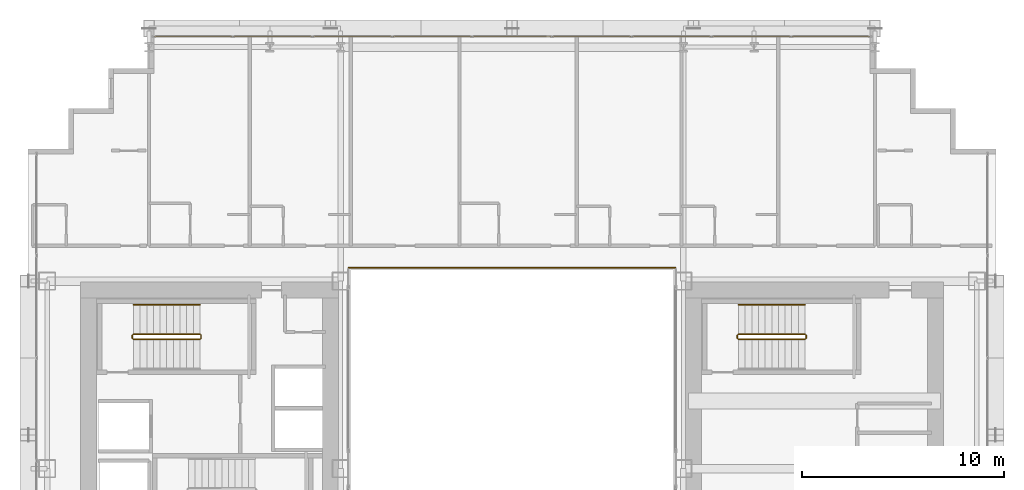
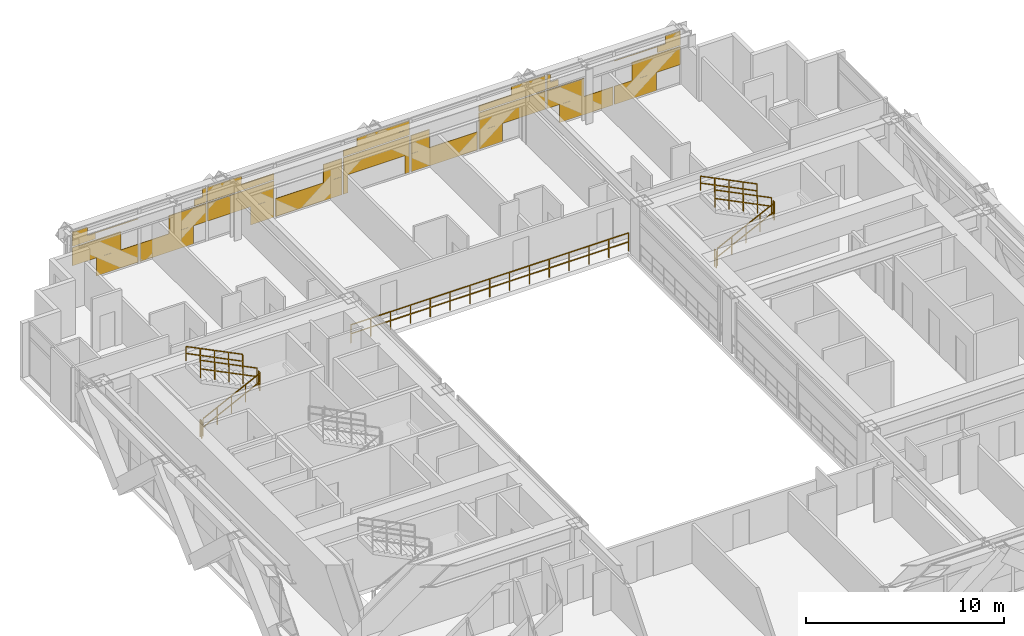
# One storey, part 41 of 41: 11 railings, 1 covering.
"""IFC4 building model written with IfcOpenShell, lengths in metres."""

from ifc_helpers import new_model, si_unit, direction, frame, origin, origin_2d, place, context, subcontext, project, spatial, rectangle, extrude, material, layer, layer_set, type_object, element, save


model = new_model("IFC4")

# Units and contexts
model_context = context("Model", 3, precision=1e-05, world=origin(), true_north=direction((0.0, 1.0)))
body_context = subcontext(model_context, "Body", "Model", "MODEL_VIEW")
ifc_project = project(units=[si_unit("LENGTHUNIT", "METRE"), si_unit("AREAUNIT", "SQUARE_METRE"), si_unit("VOLUMEUNIT", "CUBIC_METRE"), si_unit("PLANEANGLEUNIT", "RADIAN"), si_unit("MASSUNIT", "GRAM", prefix="KILO")], contexts=[model_context])

# Site, building, storey
site_placement = place(None, origin())
site = spatial("IfcSite", under=ifc_project, at=site_placement, CompositionType="ELEMENT")
building_placement = place(site_placement, origin())
building = spatial("IfcBuilding", under=site, at=building_placement, Name="Ocotamira Hotel", CompositionType="ELEMENT")
storey_placement = place(building_placement, frame((0.0, 0.0, 67.199951171875)))
storey = spatial("IfcBuildingStorey", under=building, at=storey_placement, Name="L16", CompositionType="ELEMENT", Elevation=67.199951171875)

# Covering
ifc_material_1 = material(Name="Insulated pale-metal aluminium spandrel panel", Category="aluminium")
ifc_layer = layer(ifc_material_1, 0.044921875)
ifc_layer_set = layer_set([ifc_layer], Name="Insulated pale-metal aluminium spandrel panel")
covering_type = type_object("IfcCoveringType", Name="COV-INFILL-45", PredefinedType="CLADDING", material=ifc_layer_set)
covering_placement = place(storey_placement, origin())
element("IfcCovering", 1, at=covering_placement, inside=storey, type_object=covering_type, Name="L16 Curtain Wall Infill CW-2 CW-L16-N", PredefinedType="CLADDING", context=body_context, shape_type="SweptSolid", body=[
    extrude(rectangle(XDim=2.822265625, YDim=0.044921875, at=origin_2d()), frame((15.691650390625, 49.580078125, 1.1943359375), z_axis=(0.0, 0.0, 1.0), x_axis=(1.0, 0.0, 0.0)), (0.0, 0.0, 1.0), 1.117919921875),
    extrude(rectangle(XDim=2.4521484375, YDim=0.044921875, at=origin_2d()), frame((16.888916015625, 49.580078125, 0.07568359375), z_axis=(0.0, 0.0, 1.0), x_axis=(1.0, 0.0, 0.0)), (0.0, 0.0, 1.0), 1.11767578125),
    extrude(rectangle(XDim=1.330078125, YDim=0.044921875, at=origin_2d()), frame((14.945556640625, 49.580078125, 2.38818359375), z_axis=(0.0, 0.0, 1.0), x_axis=(1.0, 0.0, 0.0)), (0.0, 0.0, 1.0), 0.344482421875),
    extrude(rectangle(XDim=3.834716796875, YDim=0.044921875, at=origin_2d()), frame((16.19775390625, 49.580078125, 2.7333984375), z_axis=(0.0, 0.0, 1.0), x_axis=(1.0, 0.0, 0.0)), (0.0, 0.0, 1.0), 0.0302734375),
    extrude(rectangle(XDim=0.859130859375, YDim=0.044921875, at=origin_2d()), frame((14.7099609375, 49.580078125, 2.7646484375), z_axis=(0.0, 0.0, 1.0), x_axis=(1.0, 0.0, 0.0)), (0.0, 0.0, 1.0), 0.509765625),
    extrude(rectangle(XDim=3.14111328125, YDim=0.044921875, at=origin_2d()), frame((19.7666015625, 49.580078125, 0.07568359375), z_axis=(0.0, 0.0, 1.0), x_axis=(1.0, 0.0, 0.0)), (0.0, 0.0, 1.0), 1.11767578125),
    extrude(rectangle(XDim=2.17333984375, YDim=0.044921875, at=origin_2d()), frame((20.98388671875, 49.580078125, 1.1943359375), z_axis=(0.0, 0.0, 1.0), x_axis=(1.0, 0.0, 0.0)), (0.0, 0.0, 1.0), 1.117919921875),
    extrude(rectangle(XDim=0.68115234375, YDim=0.044921875, at=origin_2d()), frame((21.72998046875, 49.580078125, 2.38818359375), z_axis=(0.0, 0.0, 1.0), x_axis=(1.0, 0.0, 0.0)), (0.0, 0.0, 1.0), 0.375732421875),
    extrude(rectangle(XDim=0.210205078125, YDim=0.044921875, at=origin_2d()), frame((21.965576171875, 49.580078125, 2.7646484375), z_axis=(0.0, 0.0, 1.0), x_axis=(1.0, 0.0, 0.0)), (0.0, 0.0, 1.0), 0.509765625),
    extrude(rectangle(XDim=3.87451171875, YDim=0.044921875, at=origin_2d()), frame((24.0888671875, 49.580078125, 1.1943359375), z_axis=(0.0, 0.0, 1.0), x_axis=(1.0, 0.0, 0.0)), (0.0, 0.0, 1.0), 1.117919921875),
    extrude(rectangle(XDim=1.36328125, YDim=0.044921875, at=origin_2d()), frame((25.344482421875, 49.580078125, 0.07568359375), z_axis=(0.0, 0.0, 1.0), x_axis=(1.0, 0.0, 0.0)), (0.0, 0.0, 1.0), 1.11767578125),
    extrude(rectangle(XDim=3.87451171875, YDim=0.044921875, at=origin_2d()), frame((24.0888671875, 49.580078125, 2.38818359375), z_axis=(0.0, 0.0, 1.0), x_axis=(1.0, 0.0, 0.0)), (0.0, 0.0, 1.0), 0.375732421875),
    extrude(rectangle(XDim=1.988037109375, YDim=0.044921875, at=origin_2d()), frame((23.1455078125, 49.580078125, 2.7646484375), z_axis=(0.0, 0.0, 1.0), x_axis=(1.0, 0.0, 0.0)), (0.0, 0.0, 1.0), 0.509765625),
    extrude(rectangle(XDim=3.87451171875, YDim=0.044921875, at=origin_2d()), frame((28.04443359375, 49.580078125, 0.07568359375), z_axis=(0.0, 0.0, 1.0), x_axis=(1.0, 0.0, 0.0)), (0.0, 0.0, 1.0), 1.11767578125),
    extrude(rectangle(XDim=1.08447265625, YDim=0.044921875, at=origin_2d()), frame((29.439453125, 49.580078125, 1.1943359375), z_axis=(0.0, 0.0, 1.0), x_axis=(1.0, 0.0, 0.0)), (0.0, 0.0, 1.0), 1.117919921875),
    extrude(rectangle(XDim=0.2744140625, YDim=0.044921875, at=origin_2d()), frame((30.199951171875, 49.580078125, 0.07568359375), z_axis=(0.0, 0.0, 1.0), x_axis=(1.0, 0.0, 0.0)), (0.0, 0.0, 1.0), 1.11767578125),
    extrude(rectangle(XDim=3.87451171875, YDim=0.044921875, at=origin_2d()), frame((32.0, 49.580078125, 1.1943359375), z_axis=(0.0, 0.0, 1.0), x_axis=(1.0, 0.0, 0.0)), (0.0, 0.0, 1.0), 1.117919921875),
    extrude(rectangle(XDim=0.2744140625, YDim=0.044921875, at=origin_2d()), frame((33.800048828125, 49.580078125, 0.07568359375), z_axis=(0.0, 0.0, 1.0), x_axis=(1.0, 0.0, 0.0)), (0.0, 0.0, 1.0), 1.11767578125),
    extrude(rectangle(XDim=3.87451171875, YDim=0.044921875, at=origin_2d()), frame((32.0, 49.580078125, 2.38818359375), z_axis=(0.0, 0.0, 1.0), x_axis=(1.0, 0.0, 0.0)), (0.0, 0.0, 1.0), 0.375732421875),
    extrude(rectangle(XDim=3.076904296875, YDim=0.044921875, at=origin_2d()), frame((32.39892578125, 49.580078125, 2.7646484375), z_axis=(0.0, 0.0, 1.0), x_axis=(1.0, 0.0, 0.0)), (0.0, 0.0, 1.0), 0.509765625),
    extrude(rectangle(XDim=3.87451171875, YDim=0.044921875, at=origin_2d()), frame((35.95556640625, 49.580078125, 0.07568359375), z_axis=(0.0, 0.0, 1.0), x_axis=(1.0, 0.0, 0.0)), (0.0, 0.0, 1.0), 1.11767578125),
    extrude(rectangle(XDim=1.08447265625, YDim=0.044921875, at=origin_2d()), frame((34.560546875, 49.580078125, 1.1943359375), z_axis=(0.0, 0.0, 1.0), x_axis=(1.0, 0.0, 0.0)), (0.0, 0.0, 1.0), 1.117919921875),
    extrude(rectangle(XDim=1.36328125, YDim=0.044921875, at=origin_2d()), frame((38.655517578125, 49.580078125, 0.07568359375), z_axis=(0.0, 0.0, 1.0), x_axis=(1.0, 0.0, 0.0)), (0.0, 0.0, 1.0), 1.11767578125),
    extrude(rectangle(XDim=3.87451171875, YDim=0.044921875, at=origin_2d()), frame((39.9111328125, 49.580078125, 1.1943359375), z_axis=(0.0, 0.0, 1.0), x_axis=(1.0, 0.0, 0.0)), (0.0, 0.0, 1.0), 1.117919921875),
    extrude(rectangle(XDim=3.87451171875, YDim=0.044921875, at=origin_2d()), frame((39.9111328125, 49.580078125, 2.38818359375), z_axis=(0.0, 0.0, 1.0), x_axis=(1.0, 0.0, 0.0)), (0.0, 0.0, 1.0), 0.375732421875),
    extrude(rectangle(XDim=1.988037109375, YDim=0.044921875, at=origin_2d()), frame((40.8544921875, 49.580078125, 2.7646484375), z_axis=(0.0, 0.0, 1.0), x_axis=(1.0, 0.0, 0.0)), (0.0, 0.0, 1.0), 0.509765625),
    extrude(rectangle(XDim=2.17333984375, YDim=0.044921875, at=origin_2d()), frame((43.01611328125, 49.580078125, 1.1943359375), z_axis=(0.0, 0.0, 1.0), x_axis=(1.0, 0.0, 0.0)), (0.0, 0.0, 1.0), 1.117919921875),
    extrude(rectangle(XDim=3.14111328125, YDim=0.044921875, at=origin_2d()), frame((44.2333984375, 49.580078125, 0.07568359375), z_axis=(0.0, 0.0, 1.0), x_axis=(1.0, 0.0, 0.0)), (0.0, 0.0, 1.0), 1.11767578125),
    extrude(rectangle(XDim=0.68115234375, YDim=0.044921875, at=origin_2d()), frame((42.27001953125, 49.580078125, 2.38818359375), z_axis=(0.0, 0.0, 1.0), x_axis=(1.0, 0.0, 0.0)), (0.0, 0.0, 1.0), 0.375732421875),
    extrude(rectangle(XDim=0.210205078125, YDim=0.044921875, at=origin_2d()), frame((42.034423828125, 49.580078125, 2.7646484375), z_axis=(0.0, 0.0, 1.0), x_axis=(1.0, 0.0, 0.0)), (0.0, 0.0, 1.0), 0.509765625),
    extrude(rectangle(XDim=2.4521484375, YDim=0.044921875, at=origin_2d()), frame((47.111083984375, 49.580078125, 0.07568359375), z_axis=(0.0, 0.0, 1.0), x_axis=(1.0, 0.0, 0.0)), (0.0, 0.0, 1.0), 1.11767578125),
    extrude(rectangle(XDim=2.822265625, YDim=0.044921875, at=origin_2d()), frame((48.308349609375, 49.580078125, 1.1943359375), z_axis=(0.0, 0.0, 1.0), x_axis=(1.0, 0.0, 0.0)), (0.0, 0.0, 1.0), 1.117919921875),
    extrude(rectangle(XDim=3.834716796875, YDim=0.044921875, at=origin_2d()), frame((47.80224609375, 49.580078125, 2.7333984375), z_axis=(0.0, 0.0, 1.0), x_axis=(1.0, 0.0, 0.0)), (0.0, 0.0, 1.0), 0.0302734375),
    extrude(rectangle(XDim=1.330078125, YDim=0.044921875, at=origin_2d()), frame((49.054443359375, 49.580078125, 2.38818359375), z_axis=(0.0, 0.0, 1.0), x_axis=(1.0, 0.0, 0.0)), (0.0, 0.0, 1.0), 0.344482421875),
    extrude(rectangle(XDim=0.859130859375, YDim=0.044921875, at=origin_2d()), frame((49.2900390625, 49.580078125, 2.7646484375), z_axis=(0.0, 0.0, 1.0), x_axis=(1.0, 0.0, 0.0)), (0.0, 0.0, 1.0), 0.509765625),
])

# Railings
ifc_material_2 = material(Name="Painted steel stair guardrail", Category="steel")
railing_type_1 = type_object("IfcRailingType", Name="RL-EDGE-1150", PredefinedType="GUARDRAIL", material=ifc_material_2)
railing_1_placement = place(storey_placement, frame((40.10009765625, 38.1201171875, 0.0)))
element("IfcRailing", 2, at=railing_1_placement, inside=storey, type_object=railing_type_1, Name="L16 Central Atrium Edge Guardrail N", PredefinedType="GUARDRAIL", context=body_context, shape_type="SweptSolid", body=[
    extrude(rectangle(XDim=0.048095703125, YDim=0.048095703125, at=origin_2d()), frame((0.0, 0.0, 1.1259765625), z_axis=(-1.0, 0.0, 0.0), x_axis=(0.0, -1.0, 0.0)), (0.0, 0.0, 1.0), 16.2001953125),
    extrude(rectangle(XDim=0.048095703125, YDim=0.048095703125, at=origin_2d()), frame((0.0, 0.0, 0.574951171875), z_axis=(-1.0, 0.0, 0.0), x_axis=(0.0, -1.0, 0.0)), (0.0, 0.0, 1.0), 16.2001953125),
    extrude(rectangle(XDim=0.0419921875, YDim=0.0419921875, at=origin_2d()), origin(), (0.0, 0.0, 1.0), 1.101806640625),
    extrude(rectangle(XDim=0.0419921875, YDim=0.0419921875, at=origin_2d()), frame((-1.1572265625, 0.0, 0.0)), (0.0, 0.0, 1.0), 1.101806640625),
    extrude(rectangle(XDim=0.0419921875, YDim=0.0419921875, at=origin_2d()), frame((-2.314208984375, 0.0, 0.0)), (0.0, 0.0, 1.0), 1.101806640625),
    extrude(rectangle(XDim=0.0419921875, YDim=0.0419921875, at=origin_2d()), frame((-3.471435546875, 0.0, 0.0)), (0.0, 0.0, 1.0), 1.101806640625),
    extrude(rectangle(XDim=0.0419921875, YDim=0.0419921875, at=origin_2d()), frame((-4.628662109375, 0.0, 0.0)), (0.0, 0.0, 1.0), 1.101806640625),
    extrude(rectangle(XDim=0.0419921875, YDim=0.0419921875, at=origin_2d()), frame((-5.785888671875, 0.0, 0.0)), (0.0, 0.0, 1.0), 1.101806640625),
    extrude(rectangle(XDim=0.0419921875, YDim=0.0419921875, at=origin_2d()), frame((-6.94287109375, 0.0, 0.0)), (0.0, 0.0, 1.0), 1.101806640625),
    extrude(rectangle(XDim=0.0419921875, YDim=0.0419921875, at=origin_2d()), frame((-8.10009765625, 0.0, 0.0)), (0.0, 0.0, 1.0), 1.101806640625),
    extrude(rectangle(XDim=0.0419921875, YDim=0.0419921875, at=origin_2d()), frame((-9.25732421875, 0.0, 0.0)), (0.0, 0.0, 1.0), 1.101806640625),
    extrude(rectangle(XDim=0.0419921875, YDim=0.0419921875, at=origin_2d()), frame((-10.414306640625, 0.0, 0.0)), (0.0, 0.0, 1.0), 1.101806640625),
    extrude(rectangle(XDim=0.0419921875, YDim=0.0419921875, at=origin_2d()), frame((-11.571533203125, 0.0, 0.0)), (0.0, 0.0, 1.0), 1.101806640625),
    extrude(rectangle(XDim=0.0419921875, YDim=0.0419921875, at=origin_2d()), frame((-12.728759765625, 0.0, 0.0)), (0.0, 0.0, 1.0), 1.101806640625),
    extrude(rectangle(XDim=0.0419921875, YDim=0.0419921875, at=origin_2d()), frame((-13.885986328125, 0.0, 0.0)), (0.0, 0.0, 1.0), 1.101806640625),
    extrude(rectangle(XDim=0.0419921875, YDim=0.0419921875, at=origin_2d()), frame((-15.04296875, 0.0, 0.0)), (0.0, 0.0, 1.0), 1.101806640625),
    extrude(rectangle(XDim=0.0419921875, YDim=0.0419921875, at=origin_2d()), frame((-16.2001953125, 0.0, 0.0)), (0.0, 0.0, 1.0), 1.101806640625),
])
ifc_material_3 = material(Name="Brushed stainless steel handrail", Category="steel")
railing_type_2 = type_object("IfcRailingType", Name="RL-HAND-900", PredefinedType="HANDRAIL", material=ifc_material_3)
for number, where, name in (
    (3, (16.530029296875, 36.280029296875, 2.12744140625), "L16 ST-2 stair handrail 2"),
    (4, (46.530029296875, 36.280029296875, 2.12744140625), "L16 ST-4 stair handrail 2"),
):
    element("IfcRailing", number, at=place(storey_placement, frame(where)), inside=storey, type_object=railing_type_2, Name=name, PredefinedType="HANDRAIL", context=body_context, shape_type="SweptSolid", body=[
        extrude(rectangle(XDim=0.048095703125, YDim=0.048095703125, at=origin_2d()), frame((0.0, 0.0, 0.8759765625), z_axis=(-0.895920123917, 0.0, 0.444215186098), x_axis=(0.0, -1.0, 0.0)), (0.0, 0.0, 1.0), 3.683349609375),
        extrude(rectangle(XDim=0.048095703125, YDim=0.048095703125, at=origin_2d()), frame((0.0, 0.0, 0.449951171875), z_axis=(-0.895920123917, 0.0, 0.444215186098), x_axis=(0.0, -1.0, 0.0)), (0.0, 0.0, 1.0), 3.683349609375),
        extrude(rectangle(XDim=0.0419921875, YDim=0.0419921875, at=origin_2d()), origin(), (0.0, 0.0, 1.0), 0.851806640625),
        extrude(rectangle(XDim=0.0419921875, YDim=0.0419921875, at=origin_2d()), frame((-0.824951171875, 0.0, 0.4091796875)), (0.0, 0.0, 1.0), 0.851806640625),
        extrude(rectangle(XDim=0.0419921875, YDim=0.0419921875, at=origin_2d()), frame((-1.64990234375, 0.0, 0.818115234375)), (0.0, 0.0, 1.0), 0.851806640625),
        extrude(rectangle(XDim=0.0419921875, YDim=0.0419921875, at=origin_2d()), frame((-2.47509765625, 0.0, 1.22705078125)), (0.0, 0.0, 1.0), 0.851806640625),
        extrude(rectangle(XDim=0.0419921875, YDim=0.0419921875, at=origin_2d()), frame((-3.300048828125, 0.0, 1.63623046875)), (0.0, 0.0, 1.0), 0.851806640625),
    ])
railing_type_3 = type_object("IfcRailingType", Name="RL-STAIR-1100", PredefinedType="GUARDRAIL", material=ifc_material_2)
railing_2_placement = place(storey_placement, frame((13.22998046875, 34.56005859375, 0.16357421875)))
element("IfcRailing", 5, at=railing_2_placement, inside=storey, type_object=railing_type_3, Name="L16 ST-2 stair guard 1", PredefinedType="GUARDRAIL", context=body_context, shape_type="SweptSolid", body=[
    extrude(rectangle(XDim=0.048095703125, YDim=0.048095703125, at=origin_2d()), frame((0.0, 0.0, 1.076171875), z_axis=(0.895893744519, 0.0, 0.4442683857), x_axis=(0.0, 1.0, 0.0)), (0.0, 0.0, 1.0), 3.68359375),
    extrude(rectangle(XDim=0.048095703125, YDim=0.048095703125, at=origin_2d()), frame((0.0, 0.0, 0.550048828125), z_axis=(0.895893744519, 0.0, 0.4442683857), x_axis=(0.0, 1.0, 0.0)), (0.0, 0.0, 1.0), 3.68359375),
    extrude(rectangle(XDim=0.0419921875, YDim=0.0419921875, at=origin_2d()), origin(), (0.0, 0.0, 1.0), 1.052001953125),
    extrude(rectangle(XDim=0.0419921875, YDim=0.0419921875, at=origin_2d()), frame((0.824951171875, 0.0, 0.4091796875)), (0.0, 0.0, 1.0), 1.052001953125),
    extrude(rectangle(XDim=0.0419921875, YDim=0.0419921875, at=origin_2d()), frame((1.64990234375, 0.0, 0.818359375)), (0.0, 0.0, 1.0), 1.052001953125),
    extrude(rectangle(XDim=0.0419921875, YDim=0.0419921875, at=origin_2d()), frame((2.47509765625, 0.0, 1.227294921875)), (0.0, 0.0, 1.0), 1.052001953125),
    extrude(rectangle(XDim=0.0419921875, YDim=0.0419921875, at=origin_2d()), frame((3.300048828125, 0.0, 1.636474609375)), (0.0, 0.0, 1.0), 1.052001953125),
])
railing_3_placement = place(storey_placement, frame((16.580078125, 34.610107421875, 1.800048828125)))
element("IfcRailing", 6, at=railing_3_placement, inside=storey, type_object=railing_type_3, Name="L16 ST-2 stair guard 2", PredefinedType="GUARDRAIL", context=body_context, shape_type="SweptSolid", body=[
    extrude(rectangle(XDim=0.048095703125, YDim=0.048095703125, at=origin_2d()), frame((0.0, 0.0, 1.076171875), z_axis=(0.0, 1.0, 0.0), x_axis=(-1.0, 0.0, 0.0)), (0.0, 0.0, 1.0), 0.159912109375),
    extrude(rectangle(XDim=0.048095703125, YDim=0.048095703125, at=origin_2d()), frame((0.0, 0.0, 0.550048828125), z_axis=(0.0, 1.0, 0.0), x_axis=(-1.0, 0.0, 0.0)), (0.0, 0.0, 1.0), 0.159912109375),
    extrude(rectangle(XDim=0.0419921875, YDim=0.0419921875, at=origin_2d()), origin(), (0.0, 0.0, 1.0), 1.052001953125),
    extrude(rectangle(XDim=0.0419921875, YDim=0.0419921875, at=origin_2d()), frame((0.0, 0.159912109375, 0.0)), (0.0, 0.0, 1.0), 1.052001953125),
])
railing_4_placement = place(storey_placement, frame((16.530029296875, 34.820068359375, 1.963623046875)))
element("IfcRailing", 7, at=railing_4_placement, inside=storey, type_object=railing_type_3, Name="L16 ST-2 stair guard 3", PredefinedType="GUARDRAIL", context=body_context, shape_type="SweptSolid", body=[
    extrude(rectangle(XDim=0.048095703125, YDim=0.048095703125, at=origin_2d()), frame((0.0, 0.0, 1.076171875), z_axis=(-0.895893744519, 0.0, 0.4442683857), x_axis=(0.0, -1.0, 0.0)), (0.0, 0.0, 1.0), 3.68359375),
    extrude(rectangle(XDim=0.048095703125, YDim=0.048095703125, at=origin_2d()), frame((0.0, 0.0, 0.550048828125), z_axis=(-0.895893744519, 0.0, 0.4442683857), x_axis=(0.0, -1.0, 0.0)), (0.0, 0.0, 1.0), 3.68359375),
    extrude(rectangle(XDim=0.0419921875, YDim=0.0419921875, at=origin_2d()), origin(), (0.0, 0.0, 1.0), 1.052001953125),
    extrude(rectangle(XDim=0.0419921875, YDim=0.0419921875, at=origin_2d()), frame((-0.824951171875, 0.0, 0.4091796875)), (0.0, 0.0, 1.0), 1.052001953125),
    extrude(rectangle(XDim=0.0419921875, YDim=0.0419921875, at=origin_2d()), frame((-1.64990234375, 0.0, 0.818359375)), (0.0, 0.0, 1.0), 1.052001953125),
    extrude(rectangle(XDim=0.0419921875, YDim=0.0419921875, at=origin_2d()), frame((-2.47509765625, 0.0, 1.227294921875)), (0.0, 0.0, 1.0), 1.052001953125),
    extrude(rectangle(XDim=0.0419921875, YDim=0.0419921875, at=origin_2d()), frame((-3.300048828125, 0.0, 1.636474609375)), (0.0, 0.0, 1.0), 1.052001953125),
])
railing_5_placement = place(storey_placement, frame((13.179931640625, 34.610107421875, 0.0)))
element("IfcRailing", 8, at=railing_5_placement, inside=storey, type_object=railing_type_3, Name="L16 ST-2 stair guard 4", PredefinedType="GUARDRAIL", context=body_context, shape_type="SweptSolid", body=[
    extrude(rectangle(XDim=0.048095703125, YDim=0.048095703125, at=origin_2d()), frame((0.0, 0.0, 1.076171875), z_axis=(0.0, 1.0, 0.0), x_axis=(-1.0, 0.0, 0.0)), (0.0, 0.0, 1.0), 0.159912109375),
    extrude(rectangle(XDim=0.048095703125, YDim=0.048095703125, at=origin_2d()), frame((0.0, 0.0, 0.550048828125), z_axis=(0.0, 1.0, 0.0), x_axis=(-1.0, 0.0, 0.0)), (0.0, 0.0, 1.0), 0.159912109375),
    extrude(rectangle(XDim=0.0419921875, YDim=0.0419921875, at=origin_2d()), origin(), (0.0, 0.0, 1.0), 1.052001953125),
    extrude(rectangle(XDim=0.0419921875, YDim=0.0419921875, at=origin_2d()), frame((0.0, 0.159912109375, 0.0)), (0.0, 0.0, 1.0), 1.052001953125),
])
railing_6_placement = place(storey_placement, frame((43.22998046875, 34.56005859375, 0.16357421875)))
element("IfcRailing", 9, at=railing_6_placement, inside=storey, type_object=railing_type_3, Name="L16 ST-4 stair guard 1", PredefinedType="GUARDRAIL", context=body_context, shape_type="SweptSolid", body=[
    extrude(rectangle(XDim=0.048095703125, YDim=0.048095703125, at=origin_2d()), frame((0.0, 0.0, 1.076171875), z_axis=(0.895893744519, 0.0, 0.4442683857), x_axis=(0.0, 1.0, 0.0)), (0.0, 0.0, 1.0), 3.68359375),
    extrude(rectangle(XDim=0.048095703125, YDim=0.048095703125, at=origin_2d()), frame((0.0, 0.0, 0.550048828125), z_axis=(0.895893744519, 0.0, 0.4442683857), x_axis=(0.0, 1.0, 0.0)), (0.0, 0.0, 1.0), 3.68359375),
    extrude(rectangle(XDim=0.0419921875, YDim=0.0419921875, at=origin_2d()), origin(), (0.0, 0.0, 1.0), 1.052001953125),
    extrude(rectangle(XDim=0.0419921875, YDim=0.0419921875, at=origin_2d()), frame((0.824951171875, 0.0, 0.4091796875)), (0.0, 0.0, 1.0), 1.052001953125),
    extrude(rectangle(XDim=0.0419921875, YDim=0.0419921875, at=origin_2d()), frame((1.64990234375, 0.0, 0.818359375)), (0.0, 0.0, 1.0), 1.052001953125),
    extrude(rectangle(XDim=0.0419921875, YDim=0.0419921875, at=origin_2d()), frame((2.47509765625, 0.0, 1.227294921875)), (0.0, 0.0, 1.0), 1.052001953125),
    extrude(rectangle(XDim=0.0419921875, YDim=0.0419921875, at=origin_2d()), frame((3.300048828125, 0.0, 1.636474609375)), (0.0, 0.0, 1.0), 1.052001953125),
])
railing_7_placement = place(storey_placement, frame((46.580078125, 34.610107421875, 1.800048828125)))
element("IfcRailing", 10, at=railing_7_placement, inside=storey, type_object=railing_type_3, Name="L16 ST-4 stair guard 2", PredefinedType="GUARDRAIL", context=body_context, shape_type="SweptSolid", body=[
    extrude(rectangle(XDim=0.048095703125, YDim=0.048095703125, at=origin_2d()), frame((0.0, 0.0, 1.076171875), z_axis=(0.0, 1.0, 0.0), x_axis=(-1.0, 0.0, 0.0)), (0.0, 0.0, 1.0), 0.159912109375),
    extrude(rectangle(XDim=0.048095703125, YDim=0.048095703125, at=origin_2d()), frame((0.0, 0.0, 0.550048828125), z_axis=(0.0, 1.0, 0.0), x_axis=(-1.0, 0.0, 0.0)), (0.0, 0.0, 1.0), 0.159912109375),
    extrude(rectangle(XDim=0.0419921875, YDim=0.0419921875, at=origin_2d()), origin(), (0.0, 0.0, 1.0), 1.052001953125),
    extrude(rectangle(XDim=0.0419921875, YDim=0.0419921875, at=origin_2d()), frame((0.0, 0.159912109375, 0.0)), (0.0, 0.0, 1.0), 1.052001953125),
])
railing_8_placement = place(storey_placement, frame((46.530029296875, 34.820068359375, 1.963623046875)))
element("IfcRailing", 11, at=railing_8_placement, inside=storey, type_object=railing_type_3, Name="L16 ST-4 stair guard 3", PredefinedType="GUARDRAIL", context=body_context, shape_type="SweptSolid", body=[
    extrude(rectangle(XDim=0.048095703125, YDim=0.048095703125, at=origin_2d()), frame((0.0, 0.0, 1.076171875), z_axis=(-0.895893744519, 0.0, 0.4442683857), x_axis=(0.0, -1.0, 0.0)), (0.0, 0.0, 1.0), 3.68359375),
    extrude(rectangle(XDim=0.048095703125, YDim=0.048095703125, at=origin_2d()), frame((0.0, 0.0, 0.550048828125), z_axis=(-0.895893744519, 0.0, 0.4442683857), x_axis=(0.0, -1.0, 0.0)), (0.0, 0.0, 1.0), 3.68359375),
    extrude(rectangle(XDim=0.0419921875, YDim=0.0419921875, at=origin_2d()), origin(), (0.0, 0.0, 1.0), 1.052001953125),
    extrude(rectangle(XDim=0.0419921875, YDim=0.0419921875, at=origin_2d()), frame((-0.824951171875, 0.0, 0.4091796875)), (0.0, 0.0, 1.0), 1.052001953125),
    extrude(rectangle(XDim=0.0419921875, YDim=0.0419921875, at=origin_2d()), frame((-1.64990234375, 0.0, 0.818359375)), (0.0, 0.0, 1.0), 1.052001953125),
    extrude(rectangle(XDim=0.0419921875, YDim=0.0419921875, at=origin_2d()), frame((-2.47509765625, 0.0, 1.227294921875)), (0.0, 0.0, 1.0), 1.052001953125),
    extrude(rectangle(XDim=0.0419921875, YDim=0.0419921875, at=origin_2d()), frame((-3.300048828125, 0.0, 1.636474609375)), (0.0, 0.0, 1.0), 1.052001953125),
])
railing_9_placement = place(storey_placement, frame((43.179931640625, 34.610107421875, 0.0)))
element("IfcRailing", 12, at=railing_9_placement, inside=storey, type_object=railing_type_3, Name="L16 ST-4 stair guard 4", PredefinedType="GUARDRAIL", context=body_context, shape_type="SweptSolid", body=[
    extrude(rectangle(XDim=0.048095703125, YDim=0.048095703125, at=origin_2d()), frame((0.0, 0.0, 1.076171875), z_axis=(0.0, 1.0, 0.0), x_axis=(-1.0, 0.0, 0.0)), (0.0, 0.0, 1.0), 0.159912109375),
    extrude(rectangle(XDim=0.048095703125, YDim=0.048095703125, at=origin_2d()), frame((0.0, 0.0, 0.550048828125), z_axis=(0.0, 1.0, 0.0), x_axis=(-1.0, 0.0, 0.0)), (0.0, 0.0, 1.0), 0.159912109375),
    extrude(rectangle(XDim=0.0419921875, YDim=0.0419921875, at=origin_2d()), origin(), (0.0, 0.0, 1.0), 1.052001953125),
    extrude(rectangle(XDim=0.0419921875, YDim=0.0419921875, at=origin_2d()), frame((0.0, 0.159912109375, 0.0)), (0.0, 0.0, 1.0), 1.052001953125),
])

save(model, "model.ifc")
